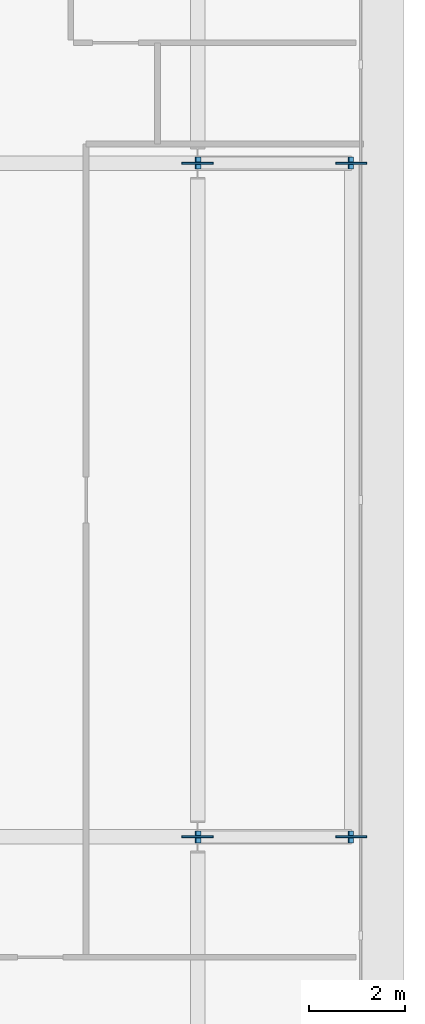
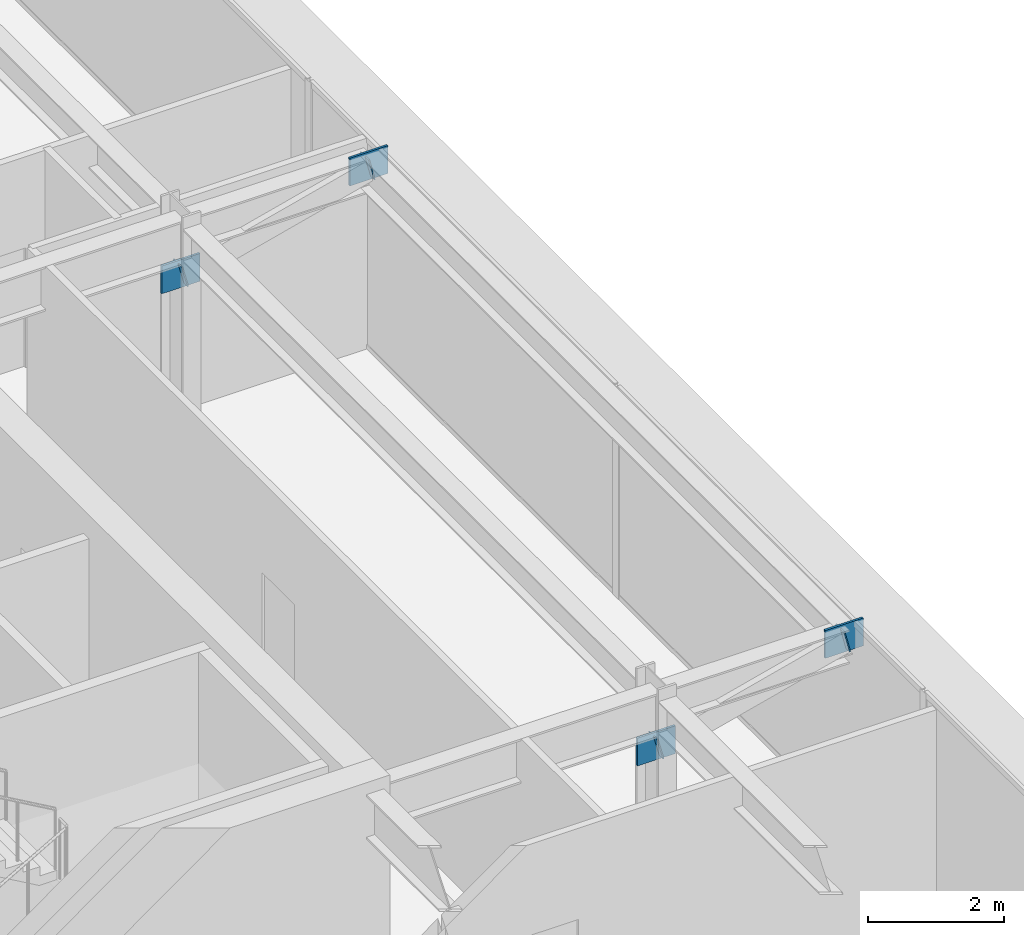
# One storey, part 12 of 20: 8 plates.
"""IFC4 building model written with IfcOpenShell, lengths in metres."""

import ifcopenshell
import ifcopenshell.guid

model = None  # the IFC model being written
_history = None  # IfcOwnerHistory: only IFC2X3 demands one
_inside = {}  # id of a spatial element -> (the spatial element, [elements in it])
_under = {}  # id of a project, library or spatial element -> (it, [spatial elements below it])
_declared = {}  # id of a project -> (the project, [libraries it declares])
_typed = {}  # id of a type object -> (the type object, [elements of that type])
_made_of = {}  # id of a material, layer set ... -> (it, [elements and type objects made of it])


def new_model(schema):
    """Start an empty IFC model of exactly this schema.

    Asked for "IFC4X3", IfcOpenShell would pick the latest addendum, in which some entities
    have other attributes; the version numbers below select the first issue.
    IFC2X3 requires an IfcOwnerHistory on every rooted entity: one is made here for all.
    """
    global model, _history
    if schema == "IFC4X3":
        model = ifcopenshell.file(schema_version=(4, 3, 0, 0))
    else:
        model = ifcopenshell.file(schema=schema)
    _inside.clear()
    _under.clear()
    _declared.clear()
    _typed.clear()
    _made_of.clear()
    _history = None
    if model.schema == "IFC2X3":
        org = make("IfcOrganization", Name="unknown")
        user = make(
            "IfcPersonAndOrganization",
            ThePerson=make("IfcPerson", FamilyName="unknown"),
            TheOrganization=org,
        )
        app = make(
            "IfcApplication",
            ApplicationDeveloper=org,
            Version="unknown",
            ApplicationFullName="unknown",
            ApplicationIdentifier="unknown",
        )
        _history = make(
            "IfcOwnerHistory",
            OwningUser=user,
            OwningApplication=app,
            ChangeAction="ADDED",
            CreationDate=0,
        )
    return model


def make(cls, **values):
    """One entity of the class cls with the attributes given. An attribute that is None is left unset."""
    return model.create_entity(
        cls, **{name: value for name, value in values.items() if value is not None}
    )


def rooted(cls, **values):
    """An entity with a GlobalId (a new one), such as an element, a storey or a relation."""
    return make(cls, GlobalId=ifcopenshell.guid.new(), OwnerHistory=_history, **values)


def si_unit(unit_type, name, prefix=None):
    """IfcSIUnit, for example si_unit("LENGTHUNIT", "METRE", prefix="MILLI")."""
    return make("IfcSIUnit", UnitType=unit_type, Prefix=prefix, Name=name)


def assignment(units):
    """IfcUnitAssignment: the units of a project."""
    return None if units is None else make("IfcUnitAssignment", Units=units)


def point(xyz):
    """IfcCartesianPoint."""
    return None if xyz is None else make("IfcCartesianPoint", Coordinates=xyz)


def direction(xyz):
    """IfcDirection."""
    return None if xyz is None else make("IfcDirection", DirectionRatios=xyz)


def frame(location, z_axis=None, x_axis=None):
    """IfcAxis2Placement3D, a coordinate frame: its origin and axes. An axis left out is left unset."""
    return make(
        "IfcAxis2Placement3D",
        Location=point(location),
        Axis=direction(z_axis),
        RefDirection=direction(x_axis),
    )


def frame_2d(location, x_axis=None):
    """IfcAxis2Placement2D, a coordinate frame in the plane: its origin and x axis."""
    return make(
        "IfcAxis2Placement2D", Location=point(location), RefDirection=direction(x_axis)
    )


def origin():
    """The frame at (0, 0, 0) with its axes left unset."""
    return frame((0.0, 0.0, 0.0))


def origin_2d():
    """The frame at (0, 0) in the plane with its x axis left unset."""
    return frame_2d((0.0, 0.0))


def place(relative_to, where):
    """IfcLocalPlacement: puts the frame where relative to a parent placement (None: the world)."""
    return make(
        "IfcLocalPlacement", PlacementRelTo=relative_to, RelativePlacement=where
    )


def context(
    kind, dimensions, precision=None, world=None, true_north=None, identifier=None
):
    """IfcGeometricRepresentationContext, for example the 3D "Model" context."""
    return make(
        "IfcGeometricRepresentationContext",
        ContextIdentifier=identifier,
        ContextType=kind,
        CoordinateSpaceDimension=dimensions,
        Precision=precision,
        WorldCoordinateSystem=world,
        TrueNorth=true_north,
    )


def subcontext(parent, identifier, kind, view, scale=None):
    """IfcGeometricRepresentationSubContext, for example "Body" below "Model"."""
    return make(
        "IfcGeometricRepresentationSubContext",
        ContextIdentifier=identifier,
        ContextType=kind,
        ParentContext=parent,
        TargetScale=scale,
        TargetView=view,
    )


def project(units=None, contexts=None):
    """IfcProject with its units and contexts."""
    return rooted(
        "IfcProject",
        Name="project",
        RepresentationContexts=contexts,
        UnitsInContext=assignment(units),
    )


def spatial(cls, under=None, at=None, **own):
    """A site, building, storey or space (cls), placed at a placement, below another one or the project."""
    s = rooted(cls, ObjectPlacement=at, **own)
    if under is not None:
        _under.setdefault(under.id(), (under, []))[1].append(s)
    return s


def profile(cls, at=None, kind="AREA", **sizes):
    """A parametric profile (cls). Its sizes go by their IFC names, for example OverallWidth=200.0."""
    return make(cls, ProfileType=kind, Position=at, **sizes)


def rectangle(**sizes):
    """IfcRectangleProfileDef."""
    return profile("IfcRectangleProfileDef", **sizes)


def extrude(swept, where, along, depth):
    """IfcExtrudedAreaSolid: the profile swept, set in the frame where, extruded along a direction by depth."""
    return make(
        "IfcExtrudedAreaSolid",
        SweptArea=swept,
        Position=where,
        ExtrudedDirection=direction(along),
        Depth=depth,
    )


def shape(context_of_items, identifier, shape_type, items):
    """IfcShapeRepresentation: the items that make up one representation, for example the "Body"."""
    return make(
        "IfcShapeRepresentation",
        ContextOfItems=context_of_items,
        RepresentationIdentifier=identifier,
        RepresentationType=shape_type,
        Items=items,
    )


def material(Name=None, Category=None):
    """IfcMaterial."""
    return make("IfcMaterial", Name=Name, Category=Category)


def layer(
    of_material, thickness, ventilated=None, Name=None, Category=None, Priority=None
):
    """IfcMaterialLayer: one layer of a wall or slab, of a material (None: an air gap)."""
    return make(
        "IfcMaterialLayer",
        Material=of_material,
        LayerThickness=thickness,
        IsVentilated=ventilated,
        Name=Name,
        Category=Category,
        Priority=Priority,
    )


def layer_set(layers, Name=None):
    """IfcMaterialLayerSet."""
    return make("IfcMaterialLayerSet", MaterialLayers=layers, LayerSetName=Name)


def made_of(thing, what):
    """Note that an element or type object is made of a material, layer set ...; save() writes the relation."""
    if what is not None:
        _made_of.setdefault(what.id(), (what, []))[1].append(thing)
    return thing


def type_object(cls, material=None, **own):
    """A type object (cls), such as IfcWallType, which elements share."""
    return made_of(rooted(cls, **own), material)


def element(
    cls,
    number,
    at=None,
    inside=None,
    cuts=None,
    type_object=None,
    material=None,
    context=None,
    identifier="Body",
    shape_type=None,
    held_by="IfcProductDefinitionShape",
    body=None,
    shapes=None,
    **own,
):
    """One element of the class cls, such as IfcWall. Its Tag is "e" and its number.

    at: its placement. inside: the storey or other place that contains it. cuts: it is an
    opening in that element (IfcRelVoidsElement). A single representation is given by context,
    identifier, shape_type and body (its items); several are given by shapes. held_by: the class
    of the entity that holds the representations. save() writes the other relations.
    """
    e = rooted(cls, Tag="e%d" % number, ObjectPlacement=at, **own)
    if body is not None:
        shapes = [shape(context, identifier, shape_type, body)]
    if shapes is not None:
        e.Representation = make(held_by, Representations=shapes)
    if inside is not None:
        _inside.setdefault(inside.id(), (inside, []))[1].append(e)
    if cuts is not None:
        rooted(
            "IfcRelVoidsElement", RelatingBuildingElement=cuts, RelatedOpeningElement=e
        )
    if type_object is not None:
        _typed.setdefault(type_object.id(), (type_object, []))[1].append(e)
    return made_of(e, material)


def aggregate(whole, parts):
    """IfcRelAggregates: a whole, such as a stair, and the parts it consists of."""
    return rooted("IfcRelAggregates", RelatingObject=whole, RelatedObjects=parts)


def save(model, path):
    """Write the relations noted so far, then the file.

    IfcRelAggregates (storeys below a building ...), IfcRelContainedInSpatialStructure (elements
    in a storey), IfcRelDefinesByType, IfcRelAssociatesMaterial and IfcRelDeclares: one each for
    every whole, place, type object, material and project.
    """
    for whole, parts in _under.values():
        aggregate(whole, parts)
    for where, things in _inside.values():
        rooted(
            "IfcRelContainedInSpatialStructure",
            RelatedElements=things,
            RelatingStructure=where,
        )
    for kind, things in _typed.values():
        rooted("IfcRelDefinesByType", RelatedObjects=things, RelatingType=kind)
    for what, things in _made_of.values():
        rooted("IfcRelAssociatesMaterial", RelatedObjects=things, RelatingMaterial=what)
    for by, libraries in _declared.values():
        rooted("IfcRelDeclares", RelatingContext=by, RelatedDefinitions=libraries)
    model.write(path)


model = new_model("IFC4")

# Units and contexts
model_context = context("Model", 3, precision=1e-05, world=origin(), true_north=direction((0.0, 1.0)))
body_context = subcontext(model_context, "Body", "Model", "MODEL_VIEW")
ifc_project = project(units=[si_unit("LENGTHUNIT", "METRE"), si_unit("AREAUNIT", "SQUARE_METRE"), si_unit("VOLUMEUNIT", "CUBIC_METRE"), si_unit("PLANEANGLEUNIT", "RADIAN"), si_unit("MASSUNIT", "GRAM", prefix="KILO")], contexts=[model_context])

# Site, building, storey
site_placement = place(None, origin())
site = spatial("IfcSite", under=ifc_project, at=site_placement, CompositionType="ELEMENT")
building_placement = place(site_placement, origin())
building = spatial("IfcBuilding", under=site, at=building_placement, Name="Putna Gate Headquarters", CompositionType="ELEMENT")
storey_placement = place(building_placement, frame((0.0, 0.0, 290.39990234375)))
storey = spatial("IfcBuildingStorey", under=building, at=storey_placement, Name="L73", CompositionType="ELEMENT", Elevation=290.39990234375)

# Plates
ifc_material_1 = material(Name="Steel S355J2", Category="steel")
ifc_layer_1 = layer(ifc_material_1, 0.02001953125)
ifc_layer_set_1 = layer_set([ifc_layer_1], Name="Steel S355J2")
plate_type_1 = type_object("IfcPlateType", Name="PLT-CAP-EC-R400", PredefinedType="SHEET", material=ifc_layer_set_1)
for number, where, z_axis, x_axis, name in (
    (1, (69.9150390625, 19.0, 2.75), (0.966437683387, 0.0, 0.256901156343), (0.0, 1.0, 0.0), "L73 East Sail Cantilever Raker Y19 End Cap Start"),
    (2, (73.090576171875, 19.0, 3.563232421875), (0.970142500145, 0.0, 0.242535625036), (0.0, 1.0, 0.0), "L73 East Sail Cantilever Raker Y19 End Cap End"),
    (3, (69.9150390625, 33.0, 2.75), (0.966437683387, 0.0, 0.256901156343), (0.0, 1.0, 0.0), "L73 East Sail Cantilever Raker Y33 End Cap Start"),
    (4, (73.090576171875, 33.0, 3.563232421875), (0.970142500145, 0.0, 0.242535625036), (0.0, 1.0, 0.0), "L73 East Sail Cantilever Raker Y33 End Cap End"),
):
    element("IfcPlate", number, at=place(storey_placement, frame(where, z_axis=z_axis, x_axis=x_axis)), inside=storey, type_object=plate_type_1, Name=name, PredefinedType="SHEET", context=body_context, shape_type="SweptSolid", body=[
        extrude(rectangle(XDim=0.25, YDim=0.39990234375, at=origin_2d()), origin(), (0.0, 0.0, 1.0), 0.02001953125),
    ])
ifc_material_2 = material(Name="Steel S460M", Category="steel")
ifc_layer_2 = layer(ifc_material_2, 0.0380859375)
ifc_layer_set_2 = layer_set([ifc_layer_2], Name="Steel S460M")
plate_type_2 = type_object("IfcPlateType", Name="PLT-NODE-TN1", PredefinedType="SHEET", material=ifc_layer_set_2)
for number, where, z_axis, x_axis, name in (
    (5, (69.9150390625, 19.0, 2.5), (0.0, 0.0, 1.0), (1.0, 0.0, 0.0), "L73 Sail Raker Node Plate TN1 Y19-1"),
    (6, (73.110107421875, 19.0, 3.318115234375), (0.0, 0.0, 1.0), (1.0, 0.0, 0.0), "L73 Sail Raker Node Plate TN1 Y19-2"),
    (7, (69.9150390625, 33.0, 2.5), (0.0, 0.0, 1.0), (1.0, 0.0, 0.0), "L73 Sail Raker Node Plate TN1 Y33-1"),
    (8, (73.110107421875, 33.0, 3.318115234375), (0.0, 0.0, 1.0), (1.0, 0.0, 0.0), "L73 Sail Raker Node Plate TN1 Y33-2"),
):
    element("IfcPlate", number, at=place(storey_placement, frame(where, z_axis=z_axis, x_axis=x_axis)), inside=storey, type_object=plate_type_2, Name=name, PredefinedType="SHEET", context=body_context, shape_type="SweptSolid", body=[
        extrude(rectangle(XDim=0.64990234375, YDim=0.0380859375, at=origin_2d()), origin(), (0.0, 0.0, 1.0), 0.5),
    ])

save(model, "model.ifc")
